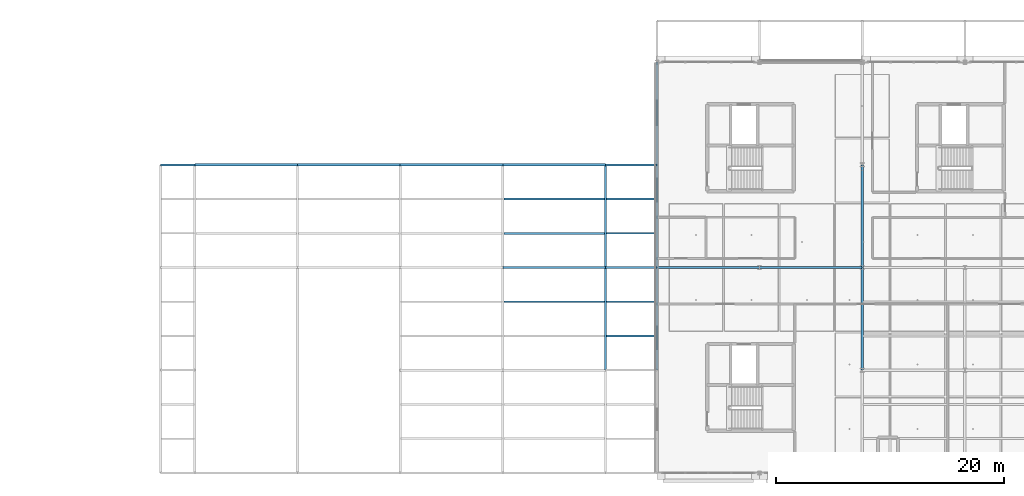
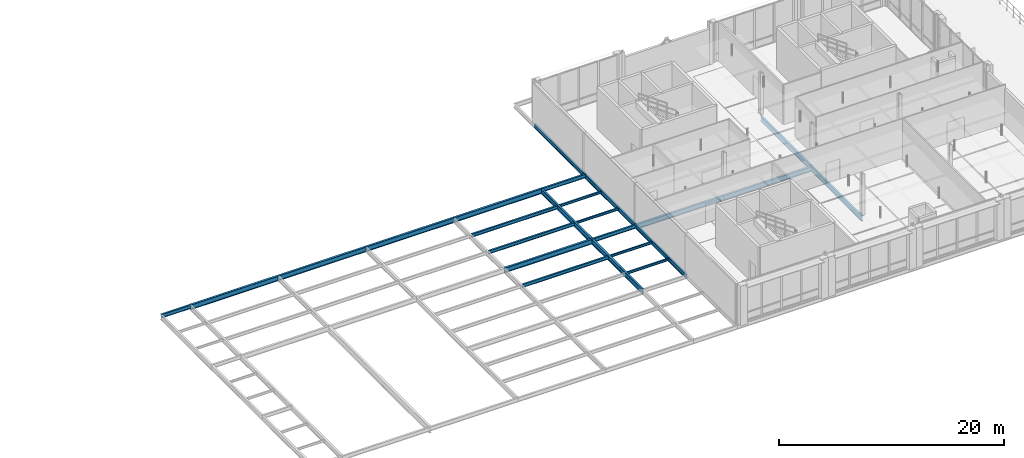
# One storey, part 29 of 66: 24 beams.
"""IFC4 building model written with IfcOpenShell, lengths in metres."""

from ifc_helpers import new_model, si_unit, direction, frame, origin, origin_2d, place, context, subcontext, project, spatial, i_section, extrude, material, material_profile, profile_set, type_object, element, save


model = new_model("IFC4")

# Units and contexts
model_context = context("Model", 3, precision=1e-05, world=origin(), true_north=direction((0.0, 1.0)))
body_context = subcontext(model_context, "Body", "Model", "MODEL_VIEW")
ifc_project = project(units=[si_unit("LENGTHUNIT", "METRE"), si_unit("AREAUNIT", "SQUARE_METRE"), si_unit("VOLUMEUNIT", "CUBIC_METRE"), si_unit("PLANEANGLEUNIT", "RADIAN"), si_unit("MASSUNIT", "GRAM", prefix="KILO"), si_unit("THERMODYNAMICTEMPERATUREUNIT", "KELVIN"), si_unit("POWERUNIT", "WATT")], contexts=[model_context])

# Site, building, storey
site_placement = place(None, origin())
site = spatial("IfcSite", under=ifc_project, at=site_placement, CompositionType="ELEMENT")
building_placement = place(site_placement, origin())
building = spatial("IfcBuilding", under=site, at=building_placement, Name="Tallowbark Science Centre", CompositionType="ELEMENT")
storey_placement = place(building_placement, frame((0.0, 0.0, 18.89990234375)))
storey = spatial("IfcBuildingStorey", under=building, at=storey_placement, Name="L04", CompositionType="ELEMENT", Elevation=18.89990234375)

# Beams
ifc_material = material(Name="Structural Steel Grade 300PLUS (300 MPa)", Category="steel")
ifc_material_profile_1 = material_profile(ifc_material, i_section(OverallWidth=0.177734375, OverallDepth=0.406494140625, WebThickness=0.0078125, FlangeThickness=0.0126953125, FilletRadius=0.011474609375, at=origin_2d()), Name="410UB59.7")
ifc_profile_set_1 = profile_set([ifc_material_profile_1], Name="Structural Steel Grade 300PLUS (300 MPa)")
beam_type_1 = type_object("IfcBeamType", Name="BM-UB410", PredefinedType="BEAM", material=ifc_profile_set_1)
beam_1_placement = place(storey_placement, frame((108.0, 90.0, -0.383056640625), z_axis=(1.0, 0.0, 0.0), x_axis=(0.0, 1.0, 0.0)))
element("IfcBeam", 1, at=beam_1_placement, inside=storey, type_object=beam_type_1, Name="Primary Girder GRDX-L04-1080-1125-900", PredefinedType="BEAM", context=body_context, shape_type="SweptSolid", body=[
    extrude(i_section(OverallWidth=0.177734375, OverallDepth=0.406494140625, WebThickness=0.0078125, FlangeThickness=0.0126953125, FilletRadius=0.011474609375, at=origin_2d()), origin(), (0.0, 0.0, 1.0), 4.5),
])
beam_2_placement = place(storey_placement, frame((69.0, 99.0, -0.383056640625), z_axis=(1.0, 0.0, 0.0), x_axis=(0.0, 1.0, 0.0)))
element("IfcBeam", 2, at=beam_2_placement, inside=storey, type_object=beam_type_1, Name="Primary Girder GRDX-L04-690-720-990", PredefinedType="BEAM", context=body_context, shape_type="SweptSolid", body=[
    extrude(i_section(OverallWidth=0.177734375, OverallDepth=0.406494140625, WebThickness=0.0078125, FlangeThickness=0.0126953125, FilletRadius=0.011474609375, at=origin_2d()), origin(), (0.0, 0.0, 1.0), 3.0),
])
beam_3_placement = place(storey_placement, frame((108.0, 99.0, -0.383056640625), z_axis=(1.0, 0.0, 0.0), x_axis=(0.0, 1.0, 0.0)))
element("IfcBeam", 3, at=beam_3_placement, inside=storey, type_object=beam_type_1, Name="Primary Girder GRDX-L04-1080-1125-990", PredefinedType="BEAM", context=body_context, shape_type="SweptSolid", body=[
    extrude(i_section(OverallWidth=0.177734375, OverallDepth=0.406494140625, WebThickness=0.0078125, FlangeThickness=0.0126953125, FilletRadius=0.011474609375, at=origin_2d()), origin(), (0.0, 0.0, 1.0), 4.5),
])
ifc_material_profile_2 = material_profile(ifc_material, i_section(OverallWidth=0.208984375, OverallDepth=0.532958984375, WebThickness=0.01025390625, FlangeThickness=0.015625, FilletRadius=0.013916015625, at=origin_2d()), Name="530UB92.4")
ifc_profile_set_2 = profile_set([ifc_material_profile_2], Name="Structural Steel Grade 300PLUS (300 MPa)")
beam_type_2 = type_object("IfcBeamType", Name="BM-UB530A", PredefinedType="BEAM", material=ifc_profile_set_2)
for number, where, z_axis, x_axis, name in (
    (4, (99.0, 90.0, -0.4462890625), (1.0, 0.0, 0.0), (0.0, 1.0, 0.0), "Primary Girder GRDX-L04-990-1080-900"),
    (5, (112.5, 90.0, -0.4462890625), (1.0, 0.0, 0.0), (0.0, 1.0, 0.0), "Primary Girder GRDX-L04-1125-1215-900"),
    (6, (121.5, 90.0, -0.4462890625), (1.0, 0.0, 0.0), (0.0, 1.0, 0.0), "Primary Girder GRDX-L04-1215-1305-900"),
    (7, (72.0, 99.0, -0.4462890625), (1.0, 0.0, 0.0), (0.0, 1.0, 0.0), "Primary Girder GRDX-L04-720-810-990"),
    (8, (81.0, 99.0, -0.4462890625), (1.0, 0.0, 0.0), (0.0, 1.0, 0.0), "Primary Girder GRDX-L04-810-900-990"),
    (9, (90.0, 99.0, -0.4462890625), (1.0, 0.0, 0.0), (0.0, 1.0, 0.0), "Primary Girder GRDX-L04-900-990-990"),
    (10, (99.0, 99.0, -0.4462890625), (1.0, 0.0, 0.0), (0.0, 1.0, 0.0), "Primary Girder GRDX-L04-990-1080-990"),
):
    element("IfcBeam", number, at=place(storey_placement, frame(where, z_axis=z_axis, x_axis=x_axis)), inside=storey, type_object=beam_type_2, Name=name, PredefinedType="BEAM", context=body_context, shape_type="SweptSolid", body=[
        extrude(i_section(OverallWidth=0.208984375, OverallDepth=0.532958984375, WebThickness=0.01025390625, FlangeThickness=0.015625, FilletRadius=0.013916015625, at=origin_2d()), origin(), (0.0, 0.0, 1.0), 9.0),
    ])
ifc_material_profile_3 = material_profile(ifc_material, i_section(OverallWidth=0.208740234375, OverallDepth=0.5283203125, WebThickness=0.009521484375, FlangeThickness=0.01318359375, FilletRadius=0.013916015625, at=origin_2d()), Name="530UB82.0")
ifc_profile_set_3 = profile_set([ifc_material_profile_3], Name="Structural Steel Grade 300PLUS (300 MPa)")
beam_type_3 = type_object("IfcBeamType", Name="BM-UB530B", PredefinedType="BEAM", material=ifc_profile_set_3)
for number, where, z_axis, x_axis, name in (
    (11, (108.0, 81.0, -0.444091796875), (0.0, 1.0, 0.0), (-1.0, 0.0, 0.0), "Primary Girder GRDY-L04-1080-810-900"),
    (12, (108.0, 90.0, -0.444091796875), (0.0, 1.0, 0.0), (-1.0, 0.0, 0.0), "Primary Girder GRDY-L04-1080-900-990"),
    (13, (130.5, 81.0, -0.444091796875), (0.0, 1.0, 0.0), (-1.0, 0.0, 0.0), "Primary Girder GRDY-L04-1305-810-900"),
    (14, (130.5, 90.0, -0.444091796875), (0.0, 1.0, 0.0), (-1.0, 0.0, 0.0), "Primary Girder GRDY-L04-1305-900-990"),
):
    element("IfcBeam", number, at=place(storey_placement, frame(where, z_axis=z_axis, x_axis=x_axis)), inside=storey, type_object=beam_type_3, Name=name, PredefinedType="BEAM", context=body_context, shape_type="SweptSolid", body=[
        extrude(i_section(OverallWidth=0.208740234375, OverallDepth=0.5283203125, WebThickness=0.009521484375, FlangeThickness=0.01318359375, FilletRadius=0.013916015625, at=origin_2d()), origin(), (0.0, 0.0, 1.0), 9.0),
    ])
ifc_material_profile_4 = material_profile(ifc_material, i_section(OverallWidth=0.146484375, OverallDepth=0.256103515625, WebThickness=0.00634765625, FlangeThickness=0.010986328125, FilletRadius=0.0087890625, at=origin_2d()), Name="250UB37.3")
ifc_profile_set_4 = profile_set([ifc_material_profile_4], Name="Structural Steel Grade 300PLUS (300 MPa)")
beam_type_4 = type_object("IfcBeamType", Name="JST-UB250", PredefinedType="JOIST", material=ifc_profile_set_4)
for number, where, z_axis, x_axis, name in (
    (15, (108.0849609375, 84.0, -0.30810546875), (1.0, 0.0, 0.0), (0.0, 1.0, 0.0), "Composite Floor Joist JSTX-L04-1080-840"),
    (16, (108.0849609375, 87.0, -0.30810546875), (1.0, 0.0, 0.0), (0.0, 1.0, 0.0), "Composite Floor Joist JSTX-L04-1080-870"),
    (17, (108.0849609375, 93.0, -0.30810546875), (1.0, 0.0, 0.0), (0.0, 1.0, 0.0), "Composite Floor Joist JSTX-L04-1080-930"),
    (18, (108.0849609375, 96.0, -0.30810546875), (1.0, 0.0, 0.0), (0.0, 1.0, 0.0), "Composite Floor Joist JSTX-L04-1080-960"),
):
    element("IfcBeam", number, at=place(storey_placement, frame(where, z_axis=z_axis, x_axis=x_axis)), inside=storey, type_object=beam_type_4, Name=name, PredefinedType="JOIST", context=body_context, shape_type="SweptSolid", body=[
        extrude(i_section(OverallWidth=0.146484375, OverallDepth=0.256103515625, WebThickness=0.00634765625, FlangeThickness=0.010986328125, FilletRadius=0.0087890625, at=origin_2d()), origin(), (0.0, 0.0, 1.0), 4.330078125),
    ])
ifc_material_profile_5 = material_profile(ifc_material, i_section(OverallWidth=0.172119140625, OverallDepth=0.358642578125, WebThickness=0.008056640625, FlangeThickness=0.012939453125, FilletRadius=0.011474609375, at=origin_2d()), Name="360UB56.7")
ifc_profile_set_5 = profile_set([ifc_material_profile_5], Name="Structural Steel Grade 300PLUS (300 MPa)")
beam_type_5 = type_object("IfcBeamType", Name="JST-UB360", PredefinedType="JOIST", material=ifc_profile_set_5)
for number, where, z_axis, x_axis, name in (
    (19, (99.0849609375, 87.0, -0.359130859375), (1.0, 0.0, 0.0), (0.0, 1.0, 0.0), "Composite Floor Joist JSTX-L04-990-870"),
    (20, (99.0849609375, 93.0, -0.359130859375), (1.0, 0.0, 0.0), (0.0, 1.0, 0.0), "Composite Floor Joist JSTX-L04-990-930"),
    (21, (99.0849609375, 96.0, -0.359130859375), (1.0, 0.0, 0.0), (0.0, 1.0, 0.0), "Composite Floor Joist JSTX-L04-990-960"),
):
    element("IfcBeam", number, at=place(storey_placement, frame(where, z_axis=z_axis, x_axis=x_axis)), inside=storey, type_object=beam_type_5, Name=name, PredefinedType="JOIST", context=body_context, shape_type="SweptSolid", body=[
        extrude(i_section(OverallWidth=0.172119140625, OverallDepth=0.358642578125, WebThickness=0.008056640625, FlangeThickness=0.012939453125, FilletRadius=0.011474609375, at=origin_2d()), origin(), (0.0, 0.0, 1.0), 8.830078125),
    ])
ifc_material_profile_6 = material_profile(ifc_material, i_section(OverallWidth=0.18994140625, OverallDepth=0.453857421875, WebThickness=0.008544921875, FlangeThickness=0.0126953125, FilletRadius=0.011474609375, at=origin_2d()), Name="460UB67.1")
ifc_profile_set_6 = profile_set([ifc_material_profile_6], Name="Structural Steel Grade 300PLUS (300 MPa)")
beam_type_6 = type_object("IfcBeamType", Name="SPN-UB460", PredefinedType="SPANDREL", material=ifc_profile_set_6)
for number, where, z_axis, x_axis, name in (
    (22, (112.5, 81.0, -0.40673828125), (0.0, 1.0, 0.0), (-1.0, 0.0, 0.0), "Primary Girder GRDY-L04-1125-810-900"),
    (23, (112.5, 90.0, -0.40673828125), (0.0, 1.0, 0.0), (-1.0, 0.0, 0.0), "Primary Girder GRDY-L04-1125-900-990"),
    (24, (112.5, 99.0, -0.40673828125), (0.0, 1.0, 0.0), (-1.0, 0.0, 0.0), "Primary Girder GRDY-L04-1125-990-1080"),
):
    element("IfcBeam", number, at=place(storey_placement, frame(where, z_axis=z_axis, x_axis=x_axis)), inside=storey, type_object=beam_type_6, Name=name, PredefinedType="SPANDREL", context=body_context, shape_type="SweptSolid", body=[
        extrude(i_section(OverallWidth=0.18994140625, OverallDepth=0.453857421875, WebThickness=0.008544921875, FlangeThickness=0.0126953125, FilletRadius=0.011474609375, at=origin_2d()), origin(), (0.0, 0.0, 1.0), 9.0),
    ])

save(model, "model.ifc")
